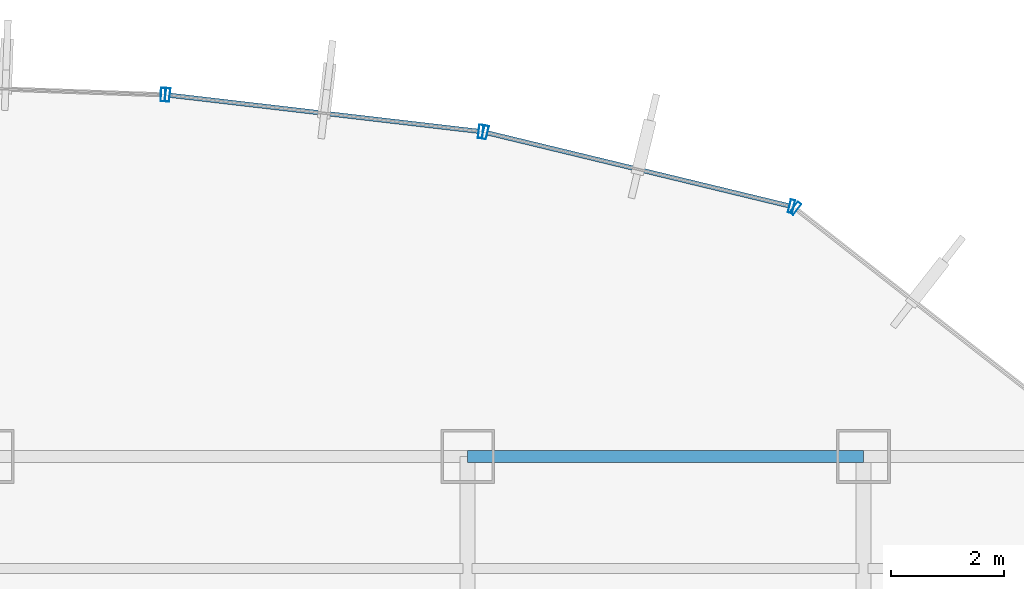
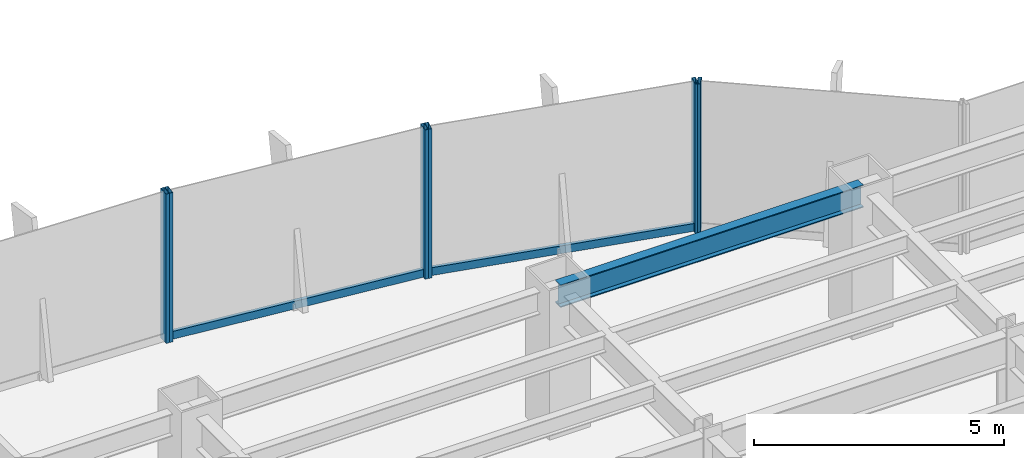
# One storey, part 14 of 22: 8 members, 1 beam, 4 elements without a shape of their own.
"""IFC4 building model written with IfcOpenShell, lengths in metres."""

from ifc_helpers import new_model, si_unit, derived_unit, direction, frame, origin, origin_2d, place, context, subcontext, project, spatial, hollow_rectangle, i_section, extrude, source, transform, mapped, material, material_profile, profile_set, type_object, element, aggregate, save


model = new_model("IFC4")

# Units and contexts
model_context = context("Model", 3, precision=1e-05, world=origin(), true_north=direction((0.0, 1.0)))
body_context = subcontext(model_context, "Body", "Model", "MODEL_VIEW")
ifc_project = project(units=[si_unit("LENGTHUNIT", "METRE"), si_unit("AREAUNIT", "SQUARE_METRE"), si_unit("VOLUMEUNIT", "CUBIC_METRE"), si_unit("PLANEANGLEUNIT", "RADIAN"), si_unit("MASSUNIT", "GRAM", prefix="KILO"), derived_unit("THERMALTRANSMITTANCEUNIT", [(si_unit("POWERUNIT", "WATT"), 1), (si_unit("LENGTHUNIT", "METRE"), -2), (si_unit("THERMODYNAMICTEMPERATUREUNIT", "KELVIN"), -1)])], contexts=[model_context])

# Site, building, storey
site_placement = place(None, origin())
site = spatial("IfcSite", under=ifc_project, at=site_placement, CompositionType="ELEMENT")
building_placement = place(site_placement, origin())
building = spatial("IfcBuilding", under=site, at=building_placement, Name="Skarnbrae Concourse Arena and Tower", CompositionType="ELEMENT")
storey_placement = place(building_placement, frame((0.0, 0.0, 65.35009765625)))
storey = spatial("IfcBuildingStorey", under=building, at=storey_placement, Name="L15", CompositionType="ELEMENT", Elevation=65.35009765625)

# Beam
ifc_material_1 = material(Name="Steel CSA G40.21 350W", Category="steel")
ifc_material_profile_1 = material_profile(ifc_material_1, i_section(OverallWidth=0.214111328125, OverallDepth=0.549072265625, WebThickness=0.0146484375, FlangeThickness=0.023681640625, at=origin_2d()), Name="W530X138")
ifc_profile_set_1 = profile_set([ifc_material_profile_1], Name="Steel CSA G40.21 350W")
beam_type = type_object("IfcBeamType", Name="BM-SPAN-W530X138", PredefinedType="SPANDREL", material=ifc_profile_set_1)
shared_shape_1 = source(origin(), body_context, "Body", "SweptSolid", [
    extrude(i_section(OverallWidth=0.214111328125, OverallDepth=0.549072265625, WebThickness=0.0146484375, FlangeThickness=0.023681640625, at=origin_2d()), origin(), (0.0, 0.0, 1.0), 7.0),
])
beam_placement = place(storey_placement, frame((42.0, 40.39990234375, 3.12548828125), z_axis=(1.0, 0.0, 0.0), x_axis=(0.0, 1.0, 0.0)))
element("IfcBeam", 1, at=beam_placement, inside=storey, type_object=beam_type, Name="L15 Perimeter spandrel Y40.4-6", PredefinedType="SPANDREL", context=body_context, shape_type="MappedRepresentation", body=[
    mapped(shared_shape_1, transform((0.0, 0.0, 0.0))),
])

# Curtain wall, member
ifc_material_2 = material(Name="Bronze anodised aluminium 6063-T6", Category="aluminium")
curtain_wall_type = type_object("IfcCurtainWallType", Name="CW-SYS-02-LOWZONE", PredefinedType="USERDEFINED", material=ifc_material_2)
curtain_wall_1_placement = place(storey_placement, origin())
curtain_wall_1 = element("IfcCurtainWall", 2, at=curtain_wall_1_placement, inside=storey, type_object=curtain_wall_type, Name="L15 Unitised curtain wall CW-L15-E08", ObjectType="UNITISED CURTAIN WALL", PredefinedType="USERDEFINED")
ifc_material_profile_2 = material_profile(ifc_material_2, hollow_rectangle(XDim=0.080078125, YDim=0.239990234375, WallThickness=0.0048828125, at=origin_2d()), Name="ALU-MULL-80X240")
ifc_profile_set_2 = profile_set([ifc_material_profile_2], Name="Bronze anodised aluminium 6063-T6")
member_type_1 = type_object("IfcMemberType", Name="CWM-CW-02", PredefinedType="MULLION", material=ifc_profile_set_2)
shared_shape_2 = source(origin(), body_context, "Body", "SweptSolid", [
    extrude(hollow_rectangle(XDim=0.080078125, YDim=0.239990234375, WallThickness=0.0048828125, at=origin_2d()), origin(), (0.0, 0.0, 1.0), 3.64990234375),
])
member_1_placement = place(storey_placement, frame((47.7978515625, 44.787109375, 0.0), z_axis=(0.0, 0.0, 1.0), x_axis=(-0.787651726054, 0.616120733658, 0.0)))
member_1 = element("IfcMember", 3, at=member_1_placement, type_object=member_type_1, Name="CW-L15-E08 Mullion 2", PredefinedType="MULLION", context=body_context, shape_type="MappedRepresentation", body=[
    mapped(shared_shape_2, transform((0.0, 0.0, 0.0))),
])
aggregate(curtain_wall_1, [member_1])

# Curtain wall, members
curtain_wall_2_placement = place(storey_placement, origin())
curtain_wall_2 = element("IfcCurtainWall", 4, at=curtain_wall_2_placement, inside=storey, type_object=curtain_wall_type, Name="L15 Unitised curtain wall CW-L15-E09", ObjectType="UNITISED CURTAIN WALL", PredefinedType="USERDEFINED")
member_2_placement = place(storey_placement, frame((47.727294921875, 44.821044921875, 0.0), z_axis=(0.0, 0.0, 1.0), x_axis=(-0.971973721569, 0.235089524607, 0.0)))
member_2 = element("IfcMember", 5, at=member_2_placement, type_object=member_type_1, Name="CW-L15-E09 Mullion 1", PredefinedType="MULLION", context=body_context, shape_type="MappedRepresentation", body=[
    mapped(shared_shape_2, transform((0.0, 0.0, 0.0))),
])
member_3_placement = place(storey_placement, frame((42.311279296875, 46.131103515625, 0.0), z_axis=(0.0, 0.0, 1.0), x_axis=(-0.971973721569, 0.235089524607, 0.0)))
member_3 = element("IfcMember", 6, at=member_3_placement, type_object=member_type_1, Name="CW-L15-E09 Mullion 2", PredefinedType="MULLION", context=body_context, shape_type="MappedRepresentation", body=[
    mapped(shared_shape_2, transform((0.0, 0.0, 0.0))),
])

curtain_wall_3_placement = place(storey_placement, origin())
curtain_wall_3 = element("IfcCurtainWall", 7, at=curtain_wall_3_placement, inside=storey, type_object=curtain_wall_type, Name="L15 Unitised curtain wall CW-L15-E10", ObjectType="UNITISED CURTAIN WALL", PredefinedType="USERDEFINED")
member_4_placement = place(storey_placement, frame((42.232666015625, 46.14501953125, 0.0), z_axis=(0.0, 0.0, 1.0), x_axis=(-0.99324457001, 0.116039752435, 0.0)))
member_4 = element("IfcMember", 8, at=member_4_placement, type_object=member_type_1, Name="CW-L15-E10 Mullion 1", PredefinedType="MULLION", context=body_context, shape_type="MappedRepresentation", body=[
    mapped(shared_shape_2, transform((0.0, 0.0, 0.0))),
])
member_5_placement = place(storey_placement, frame((36.693603515625, 46.792236328125, 0.0), z_axis=(0.0, 0.0, 1.0), x_axis=(-0.99324457001, 0.116039752435, 0.0)))
member_5 = element("IfcMember", 9, at=member_5_placement, type_object=member_type_1, Name="CW-L15-E10 Mullion 2", PredefinedType="MULLION", context=body_context, shape_type="MappedRepresentation", body=[
    mapped(shared_shape_2, transform((0.0, 0.0, 0.0))),
])

# Curtain wall, member
curtain_wall_4_placement = place(storey_placement, origin())
curtain_wall_4 = element("IfcCurtainWall", 10, at=curtain_wall_4_placement, inside=storey, type_object=curtain_wall_type, Name="L15 Unitised curtain wall CW-L15-E11", ObjectType="UNITISED CURTAIN WALL", PredefinedType="USERDEFINED")
member_6_placement = place(storey_placement, frame((36.614013671875, 46.79833984375, 0.0), z_axis=(0.0, 0.0, 1.0), x_axis=(-0.999355425188, 0.035898943527, 0.0)))
member_6 = element("IfcMember", 11, at=member_6_placement, type_object=member_type_1, Name="CW-L15-E11 Mullion 1", PredefinedType="MULLION", context=body_context, shape_type="MappedRepresentation", body=[
    mapped(shared_shape_2, transform((0.0, 0.0, 0.0))),
])
aggregate(curtain_wall_4, [member_6])

# Member
ifc_material_profile_3 = material_profile(ifc_material_2, hollow_rectangle(XDim=0.080078125, YDim=0.18994140625, WallThickness=0.0048828125, at=origin_2d()), Name="ALU-TRAN-80X190")
ifc_profile_set_3 = profile_set([ifc_material_profile_3], Name="Bronze anodised aluminium 6063-T6")
member_type_2 = type_object("IfcMemberType", Name="CWT-CW-02", PredefinedType="USERDEFINED", material=ifc_profile_set_3)
shared_shape_3 = source(origin(), body_context, "Body", "SweptSolid", [
    extrude(hollow_rectangle(XDim=0.080078125, YDim=0.18994140625, WallThickness=0.0048828125, at=origin_2d()), origin(), (0.0, 0.0, 1.0), 5.4921875),
])
member_7_placement = place(storey_placement, frame((47.6884765625, 44.83056640625, 0.094970703125), z_axis=(-0.971980728004, 0.235060554728, 0.0), x_axis=(-0.235060554728, -0.971980728004, 0.0)))
member_7 = element("IfcMember", 12, at=member_7_placement, type_object=member_type_2, Name="CW-L15-E09 Transom 1", ObjectType="TRANSOM", PredefinedType="USERDEFINED", context=body_context, shape_type="MappedRepresentation", body=[
    mapped(shared_shape_3, transform((0.0, 0.0, 0.0))),
])

aggregate(curtain_wall_2, [member_2, member_3, member_7])

shared_shape_4 = source(origin(), body_context, "Body", "SweptSolid", [
    extrude(hollow_rectangle(XDim=0.080078125, YDim=0.18994140625, WallThickness=0.0048828125, at=origin_2d()), origin(), (0.0, 0.0, 1.0), 5.49658203125),
])
member_8_placement = place(storey_placement, frame((42.19287109375, 46.14990234375, 0.094970703125), z_axis=(-0.993247281455, 0.116016541417, 0.0), x_axis=(-0.116016541417, -0.993247281455, 0.0)))
member_8 = element("IfcMember", 13, at=member_8_placement, type_object=member_type_2, Name="CW-L15-E10 Transom 1", ObjectType="TRANSOM", PredefinedType="USERDEFINED", context=body_context, shape_type="MappedRepresentation", body=[
    mapped(shared_shape_4, transform((0.0, 0.0, 0.0))),
])

aggregate(curtain_wall_3, [member_4, member_5, member_8])

save(model, "model.ifc")
